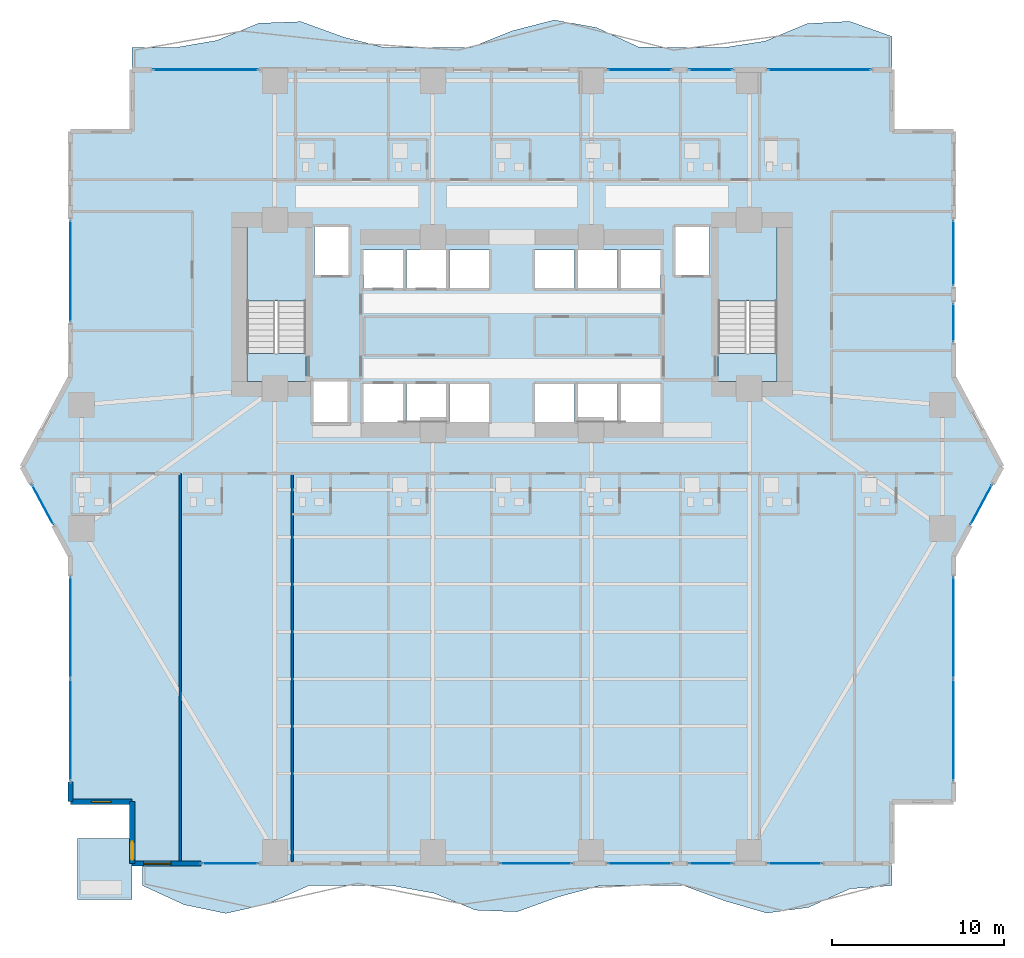
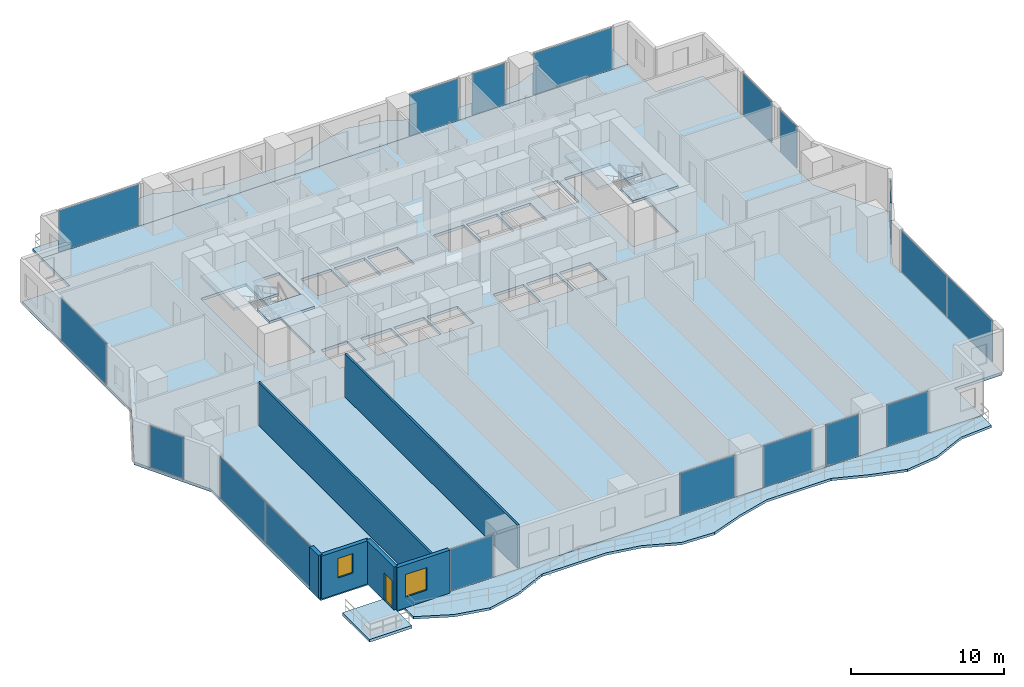
# One storey, part 17 of 28: 18 plates, 8 slabs, 6 walls, 2 windows, 1 door, 3 openings, 18 elements without a shape of their own.
"""IFC4 building model written with IfcOpenShell, lengths in metres."""

from ifc_helpers import new_model, si_unit, direction, frame, frame_2d, origin, origin_2d, place, context, subcontext, project, spatial, polyline, rectangle, outline, extrude, material, layer, layer_set, type_object, element, fill, aggregate, save


model = new_model("IFC4")

# Units and contexts
model_context = context("Model", 3, precision=1e-05, world=origin(), true_north=direction((0.0, 1.0)))
body_context = subcontext(model_context, "Body", "Model", "MODEL_VIEW")
ifc_project = project(units=[si_unit("LENGTHUNIT", "METRE"), si_unit("AREAUNIT", "SQUARE_METRE"), si_unit("VOLUMEUNIT", "CUBIC_METRE"), si_unit("PLANEANGLEUNIT", "RADIAN"), si_unit("MASSUNIT", "GRAM", prefix="KILO")], contexts=[model_context])

# Site, building, storey
site_placement = place(None, origin())
site = spatial("IfcSite", under=ifc_project, at=site_placement, CompositionType="ELEMENT")
building_placement = place(site_placement, origin())
building = spatial("IfcBuilding", under=site, at=building_placement, Name="Zuhayl Quay Hotel", CompositionType="ELEMENT")
storey_placement = place(building_placement, frame((0.0, 0.0, 31.25)))
storey = spatial("IfcBuildingStorey", under=building, at=storey_placement, Name="L06", CompositionType="ELEMENT", Elevation=31.25)

# Curtain wall, plates
ifc_material_1 = material(Name="Anodised Aluminium 6063-T6", Category="aluminium")
ifc_layer_1 = layer(ifc_material_1, 0.18994140625, Name="Anodised Aluminium 6063-T6", Category="aluminium")
ifc_layer_set_1 = layer_set([ifc_layer_1], Name="Anodised Aluminium 6063-T6")
curtain_wall_type = type_object("IfcCurtainWallType", Name="CW_SYS_Z1", PredefinedType="USERDEFINED", material=ifc_layer_set_1)
curtain_wall_1_placement = place(storey_placement, origin())
curtain_wall_1 = element("IfcCurtainWall", 1, at=curtain_wall_1_placement, inside=storey, type_object=curtain_wall_type, Name="L06 Curtain Wall ENV_L06_E02_CW1", ObjectType="UNITISED CURTAIN WALL", PredefinedType="USERDEFINED")
ifc_material_2 = material(Name="Dark Ceramic-Fritted Solar Glass", Category="glass")
ifc_layer_2 = layer(ifc_material_2, 0.035888671875, Name="Dark Ceramic-Fritted Solar Glass", Category="glass")
ifc_layer_set_2 = layer_set([ifc_layer_2], Name="Dark Ceramic-Fritted Solar Glass")
plate_type = type_object("IfcPlateType", Name="PN_DARK_FRIT_Z1", PredefinedType="CURTAIN_PANEL", material=ifc_layer_set_2)
plate_1_placement = place(storey_placement, frame((-25.699951171875, -15.331298828125, 0.06005859375), z_axis=(0.0, 0.0, 1.0), x_axis=(0.0, 1.0, 0.0)))
plate_1 = element("IfcPlate", 2, at=plate_1_placement, type_object=plate_type, Name="CW-Z1 panel 1.1", PredefinedType="CURTAIN_PANEL", context=body_context, shape_type="SweptSolid", body=[
    extrude(rectangle(XDim=5.887451171875, YDim=0.035888671875, at=origin_2d()), origin(), (0.0, 0.0, 1.0), 3.31005859375),
])
plate_2_placement = place(storey_placement, frame((-25.699951171875, -9.36865234375, 0.06005859375), z_axis=(0.0, 0.0, 1.0), x_axis=(0.0, 1.0, 0.0)))
plate_2 = element("IfcPlate", 3, at=plate_2_placement, type_object=plate_type, Name="CW-Z1 panel 2.1", PredefinedType="CURTAIN_PANEL", context=body_context, shape_type="SweptSolid", body=[
    extrude(rectangle(XDim=5.887451171875, YDim=0.035888671875, at=origin_2d()), origin(), (0.0, 0.0, 1.0), 3.31005859375),
])
aggregate(curtain_wall_1, [plate_1, plate_2])

# Curtain wall, plate
curtain_wall_2_placement = place(storey_placement, origin())
curtain_wall_2 = element("IfcCurtainWall", 4, at=curtain_wall_2_placement, inside=storey, type_object=curtain_wall_type, Name="L06 Curtain Wall ENV_L06_E03_CW1", ObjectType="UNITISED CURTAIN WALL", PredefinedType="USERDEFINED")
plate_3_placement = place(storey_placement, frame((-27.306396484375, -2.216796875, 0.06005859375), z_axis=(0.0, 0.0, 1.0), x_axis=(-0.474091102632, 0.880475795468, 0.0)))
plate_3 = element("IfcPlate", 5, at=plate_3_placement, type_object=plate_type, Name="CW-Z1 panel 1.1", PredefinedType="CURTAIN_PANEL", context=body_context, shape_type="SweptSolid", body=[
    extrude(rectangle(XDim=2.58544921875, YDim=0.035888671875, at=origin_2d()), origin(), (0.0, 0.0, 1.0), 3.31005859375),
])
aggregate(curtain_wall_2, [plate_3])

curtain_wall_3_placement = place(storey_placement, origin())
curtain_wall_3 = element("IfcCurtainWall", 6, at=curtain_wall_3_placement, inside=storey, type_object=curtain_wall_type, Name="L06 Curtain Wall ENV_L06_E05_CW1", ObjectType="UNITISED CURTAIN WALL", PredefinedType="USERDEFINED")
plate_4_placement = place(storey_placement, frame((-25.699951171875, 11.375, 0.06005859375), z_axis=(0.0, 0.0, 1.0), x_axis=(0.0, 1.0, 0.0)))
plate_4 = element("IfcPlate", 7, at=plate_4_placement, type_object=plate_type, Name="CW-Z1 panel 1.1", PredefinedType="CURTAIN_PANEL", context=body_context, shape_type="SweptSolid", body=[
    extrude(rectangle(XDim=5.89990234375, YDim=0.035888671875, at=origin_2d()), origin(), (0.0, 0.0, 1.0), 3.31005859375),
])
aggregate(curtain_wall_3, [plate_4])

curtain_wall_4_placement = place(storey_placement, origin())
curtain_wall_4 = element("IfcCurtainWall", 8, at=curtain_wall_4_placement, inside=storey, type_object=curtain_wall_type, Name="L06 Curtain Wall ENV_L06_N_CW1", ObjectType="UNITISED CURTAIN WALL", PredefinedType="USERDEFINED")
plate_5_placement = place(storey_placement, frame((-17.8349609375, 23.10009765625, 0.06005859375), z_axis=(0.0, 0.0, 1.0), x_axis=(1.0, 0.0, 0.0)))
plate_5 = element("IfcPlate", 9, at=plate_5_placement, type_object=plate_type, Name="CW-Z1 panel 1.1", PredefinedType="CURTAIN_PANEL", context=body_context, shape_type="SweptSolid", body=[
    extrude(rectangle(XDim=6.080078125, YDim=0.035888671875, at=origin_2d()), origin(), (0.0, 0.0, 1.0), 3.31005859375),
])
aggregate(curtain_wall_4, [plate_5])

curtain_wall_5_placement = place(storey_placement, origin())
curtain_wall_5 = element("IfcCurtainWall", 10, at=curtain_wall_5_placement, inside=storey, type_object=curtain_wall_type, Name="L06 Curtain Wall ENV_L06_N_CW2", ObjectType="UNITISED CURTAIN WALL", PredefinedType="USERDEFINED")
plate_6_placement = place(storey_placement, frame((7.43505859375, 23.10009765625, 0.06005859375), z_axis=(0.0, 0.0, 1.0), x_axis=(1.0, 0.0, 0.0)))
plate_6 = element("IfcPlate", 11, at=plate_6_placement, type_object=plate_type, Name="CW-Z1 panel 1.1", PredefinedType="CURTAIN_PANEL", context=body_context, shape_type="SweptSolid", body=[
    extrude(rectangle(XDim=3.679931640625, YDim=0.035888671875, at=origin_2d()), origin(), (0.0, 0.0, 1.0), 3.31005859375),
])
aggregate(curtain_wall_5, [plate_6])

curtain_wall_6_placement = place(storey_placement, origin())
curtain_wall_6 = element("IfcCurtainWall", 12, at=curtain_wall_6_placement, inside=storey, type_object=curtain_wall_type, Name="L06 Curtain Wall ENV_L06_N_CW3", ObjectType="UNITISED CURTAIN WALL", PredefinedType="USERDEFINED")
plate_7_placement = place(storey_placement, frame((11.56494140625, 23.10009765625, 0.06005859375), z_axis=(0.0, 0.0, 1.0), x_axis=(1.0, 0.0, 0.0)))
plate_7 = element("IfcPlate", 13, at=plate_7_placement, type_object=plate_type, Name="CW-Z1 panel 1.1", PredefinedType="CURTAIN_PANEL", context=body_context, shape_type="SweptSolid", body=[
    extrude(rectangle(XDim=2.47998046875, YDim=0.035888671875, at=origin_2d()), origin(), (0.0, 0.0, 1.0), 3.31005859375),
])
aggregate(curtain_wall_6, [plate_7])

curtain_wall_7_placement = place(storey_placement, origin())
curtain_wall_7 = element("IfcCurtainWall", 14, at=curtain_wall_7_placement, inside=storey, type_object=curtain_wall_type, Name="L06 Curtain Wall ENV_L06_N_CW4", ObjectType="UNITISED CURTAIN WALL", PredefinedType="USERDEFINED")
plate_8_placement = place(storey_placement, frame((17.89990234375, 23.10009765625, 0.06005859375), z_axis=(0.0, 0.0, 1.0), x_axis=(1.0, 0.0, 0.0)))
plate_8 = element("IfcPlate", 15, at=plate_8_placement, type_object=plate_type, Name="CW-Z1 panel 1.1", PredefinedType="CURTAIN_PANEL", context=body_context, shape_type="SweptSolid", body=[
    extrude(rectangle(XDim=5.949951171875, YDim=0.035888671875, at=origin_2d()), origin(), (0.0, 0.0, 1.0), 3.31005859375),
])
aggregate(curtain_wall_7, [plate_8])

curtain_wall_8_placement = place(storey_placement, origin())
curtain_wall_8 = element("IfcCurtainWall", 16, at=curtain_wall_8_placement, inside=storey, type_object=curtain_wall_type, Name="L06 Curtain Wall ENV_L06_E11_CW1", ObjectType="UNITISED CURTAIN WALL", PredefinedType="USERDEFINED")
plate_9_placement = place(storey_placement, frame((25.699951171875, 12.43505859375, 0.06005859375), z_axis=(0.0, 0.0, 1.0), x_axis=(0.0, -1.0, 0.0)))
plate_9 = element("IfcPlate", 17, at=plate_9_placement, type_object=plate_type, Name="CW-Z1 panel 1.1", PredefinedType="CURTAIN_PANEL", context=body_context, shape_type="SweptSolid", body=[
    extrude(rectangle(XDim=3.780029296875, YDim=0.035888671875, at=origin_2d()), origin(), (0.0, 0.0, 1.0), 3.31005859375),
])
aggregate(curtain_wall_8, [plate_9])

curtain_wall_9_placement = place(storey_placement, origin())
curtain_wall_9 = element("IfcCurtainWall", 18, at=curtain_wall_9_placement, inside=storey, type_object=curtain_wall_type, Name="L06 Curtain Wall ENV_L06_E11_CW2", ObjectType="UNITISED CURTAIN WALL", PredefinedType="USERDEFINED")
plate_10_placement = place(storey_placement, frame((25.699951171875, 8.385009765625, 0.06005859375), z_axis=(0.0, 0.0, 1.0), x_axis=(0.0, -1.0, 0.0)))
plate_10 = element("IfcPlate", 19, at=plate_10_placement, type_object=plate_type, Name="CW-Z1 panel 1.1", PredefinedType="CURTAIN_PANEL", context=body_context, shape_type="SweptSolid", body=[
    extrude(rectangle(XDim=2.219970703125, YDim=0.035888671875, at=origin_2d()), origin(), (0.0, 0.0, 1.0), 3.31005859375),
])
aggregate(curtain_wall_9, [plate_10])

curtain_wall_10_placement = place(storey_placement, origin())
curtain_wall_10 = element("IfcCurtainWall", 20, at=curtain_wall_10_placement, inside=storey, type_object=curtain_wall_type, Name="L06 Curtain Wall ENV_L06_E13_CW1", ObjectType="UNITISED CURTAIN WALL", PredefinedType="USERDEFINED")
plate_11_placement = place(storey_placement, frame((27.306396484375, -2.216796875, 0.06005859375), z_axis=(0.0, 0.0, 1.0), x_axis=(-0.474091102632, -0.880475795468, 0.0)))
plate_11 = element("IfcPlate", 21, at=plate_11_placement, type_object=plate_type, Name="CW-Z1 panel 1.1", PredefinedType="CURTAIN_PANEL", context=body_context, shape_type="SweptSolid", body=[
    extrude(rectangle(XDim=2.58544921875, YDim=0.035888671875, at=origin_2d()), origin(), (0.0, 0.0, 1.0), 3.31005859375),
])
aggregate(curtain_wall_10, [plate_11])

# Curtain wall, plates
curtain_wall_11_placement = place(storey_placement, origin())
curtain_wall_11 = element("IfcCurtainWall", 22, at=curtain_wall_11_placement, inside=storey, type_object=curtain_wall_type, Name="L06 Curtain Wall ENV_L06_E14_CW1", ObjectType="UNITISED CURTAIN WALL", PredefinedType="USERDEFINED")
plate_12_placement = place(storey_placement, frame((25.699951171875, -9.36865234375, 0.06005859375), z_axis=(0.0, 0.0, 1.0), x_axis=(0.0, -1.0, 0.0)))
plate_12 = element("IfcPlate", 23, at=plate_12_placement, type_object=plate_type, Name="CW-Z1 panel 1.1", PredefinedType="CURTAIN_PANEL", context=body_context, shape_type="SweptSolid", body=[
    extrude(rectangle(XDim=5.887451171875, YDim=0.035888671875, at=origin_2d()), origin(), (0.0, 0.0, 1.0), 3.31005859375),
])
plate_13_placement = place(storey_placement, frame((25.699951171875, -15.331298828125, 0.06005859375), z_axis=(0.0, 0.0, 1.0), x_axis=(0.0, -1.0, 0.0)))
plate_13 = element("IfcPlate", 24, at=plate_13_placement, type_object=plate_type, Name="CW-Z1 panel 2.1", PredefinedType="CURTAIN_PANEL", context=body_context, shape_type="SweptSolid", body=[
    extrude(rectangle(XDim=5.887451171875, YDim=0.035888671875, at=origin_2d()), origin(), (0.0, 0.0, 1.0), 3.31005859375),
])
aggregate(curtain_wall_11, [plate_12, plate_13])

# Curtain wall, plate
curtain_wall_12_placement = place(storey_placement, origin())
curtain_wall_12 = element("IfcCurtainWall", 25, at=curtain_wall_12_placement, inside=storey, type_object=curtain_wall_type, Name="L06 Curtain Wall ENV_L06_S_CW1", ObjectType="UNITISED CURTAIN WALL", PredefinedType="USERDEFINED")
plate_14_placement = place(storey_placement, frame((16.47509765625, -23.10009765625, 0.06005859375), z_axis=(0.0, 0.0, 1.0), x_axis=(-1.0, 0.0, 0.0)))
plate_14 = element("IfcPlate", 26, at=plate_14_placement, type_object=plate_type, Name="CW-Z1 panel 1.1", PredefinedType="CURTAIN_PANEL", context=body_context, shape_type="SweptSolid", body=[
    extrude(rectangle(XDim=3.10009765625, YDim=0.035888671875, at=origin_2d()), origin(), (0.0, 0.0, 1.0), 3.31005859375),
])
aggregate(curtain_wall_12, [plate_14])

curtain_wall_13_placement = place(storey_placement, origin())
curtain_wall_13 = element("IfcCurtainWall", 27, at=curtain_wall_13_placement, inside=storey, type_object=curtain_wall_type, Name="L06 Curtain Wall ENV_L06_S_CW2", ObjectType="UNITISED CURTAIN WALL", PredefinedType="USERDEFINED")
plate_15_placement = place(storey_placement, frame((11.56494140625, -23.10009765625, 0.06005859375), z_axis=(0.0, 0.0, 1.0), x_axis=(-1.0, 0.0, 0.0)))
plate_15 = element("IfcPlate", 28, at=plate_15_placement, type_object=plate_type, Name="CW-Z1 panel 1.1", PredefinedType="CURTAIN_PANEL", context=body_context, shape_type="SweptSolid", body=[
    extrude(rectangle(XDim=2.47998046875, YDim=0.035888671875, at=origin_2d()), origin(), (0.0, 0.0, 1.0), 3.31005859375),
])
aggregate(curtain_wall_13, [plate_15])

curtain_wall_14_placement = place(storey_placement, origin())
curtain_wall_14 = element("IfcCurtainWall", 29, at=curtain_wall_14_placement, inside=storey, type_object=curtain_wall_type, Name="L06 Curtain Wall ENV_L06_S_CW3", ObjectType="UNITISED CURTAIN WALL", PredefinedType="USERDEFINED")
plate_16_placement = place(storey_placement, frame((7.43505859375, -23.10009765625, 0.06005859375), z_axis=(0.0, 0.0, 1.0), x_axis=(-1.0, 0.0, 0.0)))
plate_16 = element("IfcPlate", 30, at=plate_16_placement, type_object=plate_type, Name="CW-Z1 panel 1.1", PredefinedType="CURTAIN_PANEL", context=body_context, shape_type="SweptSolid", body=[
    extrude(rectangle(XDim=3.679931640625, YDim=0.035888671875, at=origin_2d()), origin(), (0.0, 0.0, 1.0), 3.31005859375),
])
aggregate(curtain_wall_14, [plate_16])

curtain_wall_15_placement = place(storey_placement, origin())
curtain_wall_15 = element("IfcCurtainWall", 31, at=curtain_wall_15_placement, inside=storey, type_object=curtain_wall_type, Name="L06 Curtain Wall ENV_L06_S_CW4", ObjectType="UNITISED CURTAIN WALL", PredefinedType="USERDEFINED")
plate_17_placement = place(storey_placement, frame((1.39990234375, -23.10009765625, 0.06005859375), z_axis=(0.0, 0.0, 1.0), x_axis=(-1.0, 0.0, 0.0)))
plate_17 = element("IfcPlate", 32, at=plate_17_placement, type_object=plate_type, Name="CW-Z1 panel 1.1", PredefinedType="CURTAIN_PANEL", context=body_context, shape_type="SweptSolid", body=[
    extrude(rectangle(XDim=4.14990234375, YDim=0.035888671875, at=origin_2d()), origin(), (0.0, 0.0, 1.0), 3.31005859375),
])
aggregate(curtain_wall_15, [plate_17])

curtain_wall_16_placement = place(storey_placement, origin())
curtain_wall_16 = element("IfcCurtainWall", 33, at=curtain_wall_16_placement, inside=storey, type_object=curtain_wall_type, Name="L06 Curtain Wall ENV_L06_S_CW5", ObjectType="UNITISED CURTAIN WALL", PredefinedType="USERDEFINED")
plate_18_placement = place(storey_placement, frame((-16.409912109375, -23.10009765625, 0.06005859375), z_axis=(0.0, 0.0, 1.0), x_axis=(-1.0, 0.0, 0.0)))
plate_18 = element("IfcPlate", 34, at=plate_18_placement, type_object=plate_type, Name="CW-Z1 panel 1.1", PredefinedType="CURTAIN_PANEL", context=body_context, shape_type="SweptSolid", body=[
    extrude(rectangle(XDim=3.22998046875, YDim=0.035888671875, at=origin_2d()), origin(), (0.0, 0.0, 1.0), 3.31005859375),
])
aggregate(curtain_wall_16, [plate_18])

# Slabs
ifc_material_3 = material(Name="Concrete C45/55", Category="concrete")
ifc_layer_3 = layer(ifc_material_3, 0.195068359375, Name="Concrete C45/55", Category="concrete")
ifc_layer_set_3 = layer_set([ifc_layer_3], Name="Concrete C45/55")
slab_type_1 = type_object("IfcSlabType", Name="SL_BALCONY_195", PredefinedType="FLOOR", material=ifc_layer_set_3)
slab_1_placement = place(storey_placement, frame((0.0, 0.0, -0.195068359375)))
element("IfcSlab", 35, at=slab_1_placement, inside=storey, type_object=slab_type_1, Name="L06 Exterior Rippling Balcony Slab North", PredefinedType="FLOOR", context=body_context, shape_type="SweptSolid", body=[
    extrude(outline(polyline([(-22.10009765625, 23.10009765625), (22.10009765625, 23.10009765625), (22.10009765625, 25.041748046875), (19.644287109375, 25.9150390625), (17.18896484375, 25.786376953125), (14.7333984375, 24.766357421875), (12.27783203125, 24.3798828125), (9.822265625, 24.3798828125), (7.36669921875, 24.426513671875), (4.9111328125, 25.5576171875), (2.45556640625, 25.994140625), (0.0, 25.36083984375), (-2.45556640625, 24.3798828125), (-4.9111328125, 24.3798828125), (-7.36669921875, 24.3798828125), (-9.822265625, 25.004638671875), (-12.27783203125, 25.900634765625), (-14.7333984375, 25.80712890625), (-17.18896484375, 24.804443359375), (-19.644287109375, 24.3798828125), (-22.10009765625, 24.3798828125), (-22.10009765625, 23.10009765625)])), origin(), (0.0, 0.0, 1.0), 0.195068359375),
])
slab_2_placement = place(storey_placement, frame((0.0, 0.0, -0.195068359375)))
element("IfcSlab", 36, at=slab_2_placement, inside=storey, type_object=slab_type_1, Name="L06 Exterior Rippling Balcony Slab South", PredefinedType="FLOOR", context=body_context, shape_type="SweptSolid", body=[
    extrude(outline(polyline([(-21.5, -24.3798828125), (-19.077880859375, -25.493408203125), (-16.655517578125, -25.999755859375), (-14.2333984375, -25.4580078125), (-11.81103515625, -24.3798828125), (-9.388916015625, -24.3798828125), (-6.966796875, -24.3798828125), (-4.54443359375, -24.826416015625), (-2.122314453125, -25.81005859375), (0.300048828125, -25.90478515625), (2.72216796875, -25.03125), (5.144287109375, -24.3798828125), (7.566650390625, -24.3798828125), (9.989013671875, -24.3798828125), (12.4111328125, -25.2783203125), (14.833251953125, -25.97900390625), (17.255615234375, -25.649169921875), (19.677734375, -24.565185546875), (22.10009765625, -24.3798828125), (22.10009765625, -23.10009765625), (-21.5, -23.10009765625), (-21.5, -24.3798828125)])), origin(), (0.0, 0.0, 1.0), 0.195068359375),
])
ifc_layer_4 = layer(ifc_material_3, 0.219970703125, Name="Concrete C45/55", Category="concrete")
ifc_layer_set_4 = layer_set([ifc_layer_4], Name="Concrete C45/55")
slab_type_2 = type_object("IfcSlabType", Name="SL_FLOOR_220", PredefinedType="FLOOR", material=ifc_layer_set_4)
slab_3_placement = place(storey_placement, frame((0.0, 0.0, -0.219970703125)))
element("IfcSlab", 37, at=slab_3_placement, inside=storey, type_object=slab_type_2, Name="L06 Structural Floor Slab", PredefinedType="FLOOR", context=body_context, shape_type="SweptSolid", body=[
    extrude(outline(polyline([(-22.10009765625, -23.10009765625), (22.10009765625, -23.10009765625), (22.10009765625, -19.5), (25.699951171875, -19.5), (25.699951171875, -5.199951171875), (28.5, 0.0), (25.699951171875, 5.199951171875), (25.699951171875, 19.5), (22.10009765625, 19.5), (22.10009765625, 23.10009765625), (-22.10009765625, 23.10009765625), (-22.10009765625, 19.5), (-25.699951171875, 19.5), (-25.699951171875, 5.199951171875), (-28.5, 0.0), (-25.699951171875, -5.199951171875), (-25.699951171875, -19.5), (-22.10009765625, -19.5), (-22.10009765625, -23.10009765625)]), holes=[polyline([(-12.0, 4.949951171875), (-12.0, 13.949951171875), (-15.429931640625, 13.949951171875), (-15.429931640625, 4.949951171875), (-12.0, 4.949951171875)]), polyline([(15.429931640625, 4.949951171875), (15.429931640625, 13.949951171875), (12.0, 13.949951171875), (12.0, 4.949951171875), (15.429931640625, 4.949951171875)]), polyline([(-11.5, 11.14990234375), (-9.5, 11.14990234375), (-9.5, 13.949951171875), (-11.5, 13.949951171875), (-11.5, 11.14990234375)]), polyline([(9.5, 11.14990234375), (11.5, 11.14990234375), (11.5, 13.949951171875), (9.5, 13.949951171875), (9.5, 11.14990234375)]), polyline([(-8.64990234375, 2.60009765625), (-6.35009765625, 2.60009765625), (-6.35009765625, 4.800048828125), (-8.64990234375, 4.800048828125), (-8.64990234375, 2.60009765625)]), polyline([(-6.14990234375, 2.60009765625), (-3.85009765625, 2.60009765625), (-3.85009765625, 4.800048828125), (-6.14990234375, 4.800048828125), (-6.14990234375, 2.60009765625)]), polyline([(-8.64990234375, 10.39990234375), (-6.35009765625, 10.39990234375), (-6.35009765625, 12.60009765625), (-8.64990234375, 12.60009765625), (-8.64990234375, 10.39990234375)]), polyline([(-6.14990234375, 10.39990234375), (-3.85009765625, 10.39990234375), (-3.85009765625, 12.60009765625), (-6.14990234375, 12.60009765625), (-6.14990234375, 10.39990234375)]), polyline([(-3.64990234375, 2.60009765625), (-1.35009765625, 2.60009765625), (-1.35009765625, 4.800048828125), (-3.64990234375, 4.800048828125), (-3.64990234375, 2.60009765625)]), polyline([(1.35009765625, 2.60009765625), (3.64990234375, 2.60009765625), (3.64990234375, 4.800048828125), (1.35009765625, 4.800048828125), (1.35009765625, 2.60009765625)]), polyline([(-3.64990234375, 10.39990234375), (-1.35009765625, 10.39990234375), (-1.35009765625, 12.60009765625), (-3.64990234375, 12.60009765625), (-3.64990234375, 10.39990234375)]), polyline([(1.35009765625, 10.39990234375), (3.64990234375, 10.39990234375), (3.64990234375, 12.60009765625), (1.35009765625, 12.60009765625), (1.35009765625, 10.39990234375)]), polyline([(3.85009765625, 2.60009765625), (6.14990234375, 2.60009765625), (6.14990234375, 4.800048828125), (3.85009765625, 4.800048828125), (3.85009765625, 2.60009765625)]), polyline([(6.35009765625, 2.60009765625), (8.64990234375, 2.60009765625), (8.64990234375, 4.800048828125), (6.35009765625, 4.800048828125), (6.35009765625, 2.60009765625)]), polyline([(3.85009765625, 10.39990234375), (6.14990234375, 10.39990234375), (6.14990234375, 12.60009765625), (3.85009765625, 12.60009765625), (3.85009765625, 10.39990234375)]), polyline([(6.35009765625, 10.39990234375), (8.64990234375, 10.39990234375), (8.64990234375, 12.60009765625), (6.35009765625, 12.60009765625), (6.35009765625, 10.39990234375)]), polyline([(-11.550048828125, 2.550048828125), (-9.550048828125, 2.550048828125), (-9.550048828125, 4.949951171875), (-11.550048828125, 4.949951171875), (-11.550048828125, 2.550048828125)])]), origin(), (0.0, 0.0, 1.0), 0.219970703125),
])

# Stair, slabs
stair_type = type_object("IfcStairType", Name="ST_DOGLEG_TOWER", PredefinedType="HALF_TURN_STAIR", material=ifc_material_3)
stair_1_placement = place(storey_placement, origin())
stair_1 = element("IfcStair", 38, at=stair_1_placement, inside=storey, type_object=stair_type, Name="L06 Smokeproof Exit Stair ST1", PredefinedType="HALF_TURN_STAIR")
ifc_layer_5 = layer(ifc_material_3, 0.199951171875, Name="Concrete C45/55", Category="concrete")
ifc_layer_set_5 = layer_set([ifc_layer_5], Name="Concrete C45/55")
slab_type_3 = type_object("IfcSlabType", Name="SL_STAIR_LANDING_200", PredefinedType="LANDING", material=ifc_layer_set_5)
slab_4_placement = place(storey_placement, frame((0.0, 0.0, 1.625)))
slab_4 = element("IfcSlab", 39, at=slab_4_placement, type_object=slab_type_3, Name="ST1 landing 1", PredefinedType="LANDING", context=body_context, shape_type="SweptSolid", body=[
    extrude(outline(polyline([(-12.0, 9.64990234375), (-12.0, 13.949951171875), (-15.429931640625, 13.949951171875), (-15.429931640625, 9.64990234375), (-12.0, 9.64990234375)])), origin(), (0.0, 0.0, 1.0), 0.199951171875),
])
slab_5_placement = place(storey_placement, frame((0.0, 0.0, 3.449951171875)))
slab_5 = element("IfcSlab", 40, at=slab_5_placement, type_object=slab_type_3, Name="ST1 landing 2", PredefinedType="LANDING", context=body_context, shape_type="SweptSolid", body=[
    extrude(outline(polyline([(-12.0, 4.949951171875), (-12.0, 6.590087890625), (-15.429931640625, 6.590087890625), (-15.429931640625, 4.949951171875), (-12.0, 4.949951171875)])), origin(), (0.0, 0.0, 1.0), 0.199951171875),
])
aggregate(stair_1, [slab_4, slab_5])

stair_2_placement = place(storey_placement, origin())
stair_2 = element("IfcStair", 41, at=stair_2_placement, inside=storey, type_object=stair_type, Name="L06 Smokeproof Exit Stair ST2", PredefinedType="HALF_TURN_STAIR")
slab_6_placement = place(storey_placement, frame((0.0, 0.0, 1.625)))
slab_6 = element("IfcSlab", 42, at=slab_6_placement, type_object=slab_type_3, Name="ST2 landing 1", PredefinedType="LANDING", context=body_context, shape_type="SweptSolid", body=[
    extrude(outline(polyline([(15.429931640625, 9.64990234375), (15.429931640625, 13.949951171875), (12.0, 13.949951171875), (12.0, 9.64990234375), (15.429931640625, 9.64990234375)])), origin(), (0.0, 0.0, 1.0), 0.199951171875),
])
slab_7_placement = place(storey_placement, frame((0.0, 0.0, 3.449951171875)))
slab_7 = element("IfcSlab", 43, at=slab_7_placement, type_object=slab_type_3, Name="ST2 landing 2", PredefinedType="LANDING", context=body_context, shape_type="SweptSolid", body=[
    extrude(outline(polyline([(15.429931640625, 4.949951171875), (15.429931640625, 6.590087890625), (12.0, 6.590087890625), (12.0, 4.949951171875), (15.429931640625, 4.949951171875)])), origin(), (0.0, 0.0, 1.0), 0.199951171875),
])
aggregate(stair_2, [slab_6, slab_7])

# Slab
ifc_layer_6 = layer(ifc_material_3, 0.219970703125, Name="Concrete C45/55", Category="concrete")
ifc_layer_set_6 = layer_set([ifc_layer_6], Name="Concrete C45/55")
slab_type_4 = type_object("IfcSlabType", Name="SL_TERRACE_235", PredefinedType="FLOOR", material=ifc_layer_set_6)
slab_8_placement = place(storey_placement, frame((0.0, 0.0, -0.219970703125)))
element("IfcSlab", 44, at=slab_8_placement, inside=storey, type_object=slab_type_4, Name="L06 Exterior Sky-Terrace Slab L06_SPIRAL_SW", PredefinedType="FLOOR", context=body_context, shape_type="SweptSolid", body=[
    extrude(outline(polyline([(-25.300048828125, -25.199951171875), (-22.10009765625, -25.199951171875), (-22.10009765625, -21.64990234375), (-25.300048828125, -21.64990234375), (-25.300048828125, -25.199951171875)])), origin(), (0.0, 0.0, 1.0), 0.219970703125),
])

# Wall, opening, window
ifc_material_4 = material(Name="Precast concrete C45/55", Category="concrete")
ifc_layer_7 = layer(ifc_material_4, 0.300048828125, Name="Precast concrete C45/55", Category="concrete")
ifc_layer_set_7 = layer_set([ifc_layer_7], Name="Precast concrete C45/55")
wall_type_1 = type_object("IfcWallType", Name="WL_EXT_300", PredefinedType="STANDARD", material=ifc_layer_set_7)
wall_1_placement = place(storey_placement, frame((-22.10009765625, -19.5, 0.0), z_axis=(0.0, 0.0, 1.0), x_axis=(-1.0, 0.0, 0.0)))
wall_1 = element("IfcWall", 45, at=wall_1_placement, inside=storey, type_object=wall_type_1, Name="L06 Exterior Precast Wall ENV_L06_EW01", PredefinedType="STANDARD", context=body_context, shape_type="SweptSolid", body=[
    extrude(rectangle(XDim=3.599853515625, YDim=0.300048828125, at=frame_2d((1.7998046875, 0.0))), origin(), (0.0, 0.0, 1.0), 3.429931640625),
])
opening_1_placement = place(wall_1_placement, frame((1.22509765625, 0.0, 1.25)))
opening_1 = element("IfcOpeningElement", 46, at=opening_1_placement, cuts=wall_1, Name="Opening W01N", PredefinedType="OPENING", context=body_context, shape_type="SweptSolid", body=[
    extrude(rectangle(XDim=1.14990234375, YDim=1.550048828125, at=frame_2d((0.574951171875, 0.77490234375))), frame((0.0, 0.159912109375, 0.0), z_axis=(0.0, -1.0, 0.0), x_axis=(1.0, 0.0, 0.0)), (0.0, 0.0, 1.0), 0.320068359375),
])
window_type_1 = type_object("IfcWindowType", Name="WN_NOTCH_1350", PartitioningType="SINGLE_PANEL", PredefinedType="WINDOW", material=ifc_material_2)
window_1_placement = place(opening_1_placement, origin())
window_1 = element("IfcWindow", 47, at=window_1_placement, inside=storey, type_object=window_type_1, Name="L06 Corner Notch Window 1", OverallHeight=1.550048828125, OverallWidth=1.14990234375, PartitioningType="SINGLE_PANEL", PredefinedType="WINDOW", context=body_context, shape_type="SweptSolid", body=[
    extrude(rectangle(XDim=1.14990234375, YDim=1.550048828125, at=frame_2d((0.574951171875, 0.77490234375))), frame((0.0, 0.030029296875, 0.0), z_axis=(0.0, -1.0, 0.0), x_axis=(1.0, 0.0, 0.0)), (0.0, 0.0, 1.0), 0.06005859375),
])
fill(opening_1, window_1)

# Wall
wall_2_placement = place(storey_placement, frame((-25.699951171875, -19.5, 0.0), z_axis=(0.0, 0.0, 1.0), x_axis=(0.0, 1.0, 0.0)))
element("IfcWall", 48, at=wall_2_placement, inside=storey, type_object=wall_type_1, Name="L06 Exterior Precast Wall ENV_L06_E02_EW1", PredefinedType="STANDARD", context=body_context, shape_type="SweptSolid", body=[
    extrude(rectangle(XDim=1.14990234375, YDim=0.300048828125, at=frame_2d((0.574951171875, 0.0))), origin(), (0.0, 0.0, 1.0), 3.429931640625),
])

# Wall, opening, window
wall_3_placement = place(storey_placement, frame((-18.10009765625, -23.10009765625, 0.0), z_axis=(0.0, 0.0, 1.0), x_axis=(-1.0, 0.0, 0.0)))
wall_3 = element("IfcWall", 49, at=wall_3_placement, inside=storey, type_object=wall_type_1, Name="L06 Exterior Precast Wall ENV_L06_S_EW6", PredefinedType="STANDARD", context=body_context, shape_type="SweptSolid", body=[
    extrude(rectangle(XDim=4.0, YDim=0.300048828125, at=frame_2d((2.0, 0.0))), origin(), (0.0, 0.0, 1.0), 3.429931640625),
])
opening_2_placement = place(wall_3_placement, frame((1.739990234375, 0.0, 0.85009765625)))
opening_2 = element("IfcOpeningElement", 50, at=opening_2_placement, cuts=wall_3, Name="Opening W01", PredefinedType="OPENING", context=body_context, shape_type="SweptSolid", body=[
    extrude(rectangle(XDim=1.60009765625, YDim=1.800048828125, at=frame_2d((0.800048828125, 0.89990234375))), frame((0.0, 0.159912109375, 0.0), z_axis=(0.0, -1.0, 0.0), x_axis=(1.0, 0.0, 0.0)), (0.0, 0.0, 1.0), 0.320068359375),
])
window_type_2 = type_object("IfcWindowType", Name="WN_OPERABLE_1600", PartitioningType="DOUBLE_PANEL_VERTICAL", PredefinedType="WINDOW", material=ifc_material_2)
window_2_placement = place(opening_2_placement, origin())
window_2 = element("IfcWindow", 51, at=window_2_placement, inside=storey, type_object=window_type_2, Name="L06 Operable Facade Window 6-1", OverallHeight=1.800048828125, OverallWidth=1.60009765625, PartitioningType="SINGLE_PANEL", PredefinedType="WINDOW", context=body_context, shape_type="SweptSolid", body=[
    extrude(rectangle(XDim=1.60009765625, YDim=1.800048828125, at=frame_2d((0.800048828125, 0.89990234375))), frame((0.0, 0.030029296875, 0.0), z_axis=(0.0, -1.0, 0.0), x_axis=(1.0, 0.0, 0.0)), (0.0, 0.0, 1.0), 0.06005859375),
])
fill(opening_2, window_2)

# Wall, opening, door
wall_4_placement = place(storey_placement, frame((-22.10009765625, -23.10009765625, 0.0), z_axis=(0.0, 0.0, 1.0), x_axis=(0.0, 1.0, 0.0)))
wall_4 = element("IfcWall", 52, at=wall_4_placement, inside=storey, type_object=wall_type_1, Name="L06 Exterior Precast Wall ENV_L06_SP_SW", PredefinedType="STANDARD", context=body_context, shape_type="SweptSolid", body=[
    extrude(rectangle(XDim=3.60009765625, YDim=0.300048828125, at=frame_2d((1.800048828125, 0.0))), origin(), (0.0, 0.0, 1.0), 3.429931640625),
])
opening_3_placement = place(wall_4_placement, frame((0.219970703125, 0.0, 0.0)))
opening_3 = element("IfcOpeningElement", 53, at=opening_3_placement, cuts=wall_4, Name="Opening DG1", PredefinedType="OPENING", context=body_context, shape_type="SweptSolid", body=[
    extrude(rectangle(XDim=1.050048828125, YDim=2.199951171875, at=frame_2d((0.52490234375, 1.10009765625))), frame((0.0, 0.159912109375, 0.0), z_axis=(0.0, -1.0, 0.0), x_axis=(1.0, 0.0, 0.0)), (0.0, 0.0, 1.0), 0.320068359375),
])
ifc_material_5 = material(Name="Anodised Aluminium and Dark Solar Glass", Category="aluminium")
door_type = type_object("IfcDoorType", Name="DR_EXT_TERR_1050", OperationType="NOTDEFINED", PredefinedType="DOOR", material=ifc_material_5)
door_placement = place(opening_3_placement, origin())
door = element("IfcDoor", 54, at=door_placement, inside=storey, type_object=door_type, Name="L06 Spiral Sky-Terrace SW Access Door", OperationType="SINGLE_SWING_LEFT", OverallHeight=2.199951171875, OverallWidth=1.050048828125, PredefinedType="DOOR", context=body_context, shape_type="SweptSolid", body=[
    extrude(rectangle(XDim=1.050048828125, YDim=2.199951171875, at=frame_2d((0.52490234375, 1.10009765625))), frame((0.0, 0.02490234375, 0.0), z_axis=(0.0, -1.0, 0.0), x_axis=(1.0, 0.0, 0.0)), (0.0, 0.0, 1.0), 0.050048828125),
])
fill(opening_3, door)

# Walls
ifc_material_6 = material(Name="Acoustic Gypsum Partition STC-58")
ifc_layer_8 = layer(ifc_material_6, 0.14990234375, Name="Acoustic Gypsum Partition STC-58")
ifc_layer_set_8 = layer_set([ifc_layer_8], Name="Acoustic Gypsum Partition STC-58")
wall_type_2 = type_object("IfcWallType", Name="WL_PART_150", PredefinedType="PARTITIONING", material=ifc_layer_set_8)
for number, where, z_axis, x_axis, name in (
    (55, (-19.300048828125, -23.02001953125, 0.0), (0.0, 0.0, 1.0), (0.0, 1.0, 0.0), "L06 Partition IW_L06_SU01A_E"),
    (56, (-12.800048828125, -23.02001953125, 0.0), (0.0, 0.0, 1.0), (0.0, 1.0, 0.0), "L06 Partition IW_L06_SU01B_E"),
):
    element("IfcWall", number, at=place(storey_placement, frame(where, z_axis=z_axis, x_axis=x_axis)), inside=storey, type_object=wall_type_2, Name=name, PredefinedType="PARTITIONING", context=body_context, shape_type="SweptSolid", body=[
        extrude(rectangle(XDim=22.6201171875, YDim=0.14990234375, at=frame_2d((11.31005859375, 0.0))), origin(), (0.0, 0.0, 1.0), 3.429931640625),
    ])

save(model, "model.ifc")
